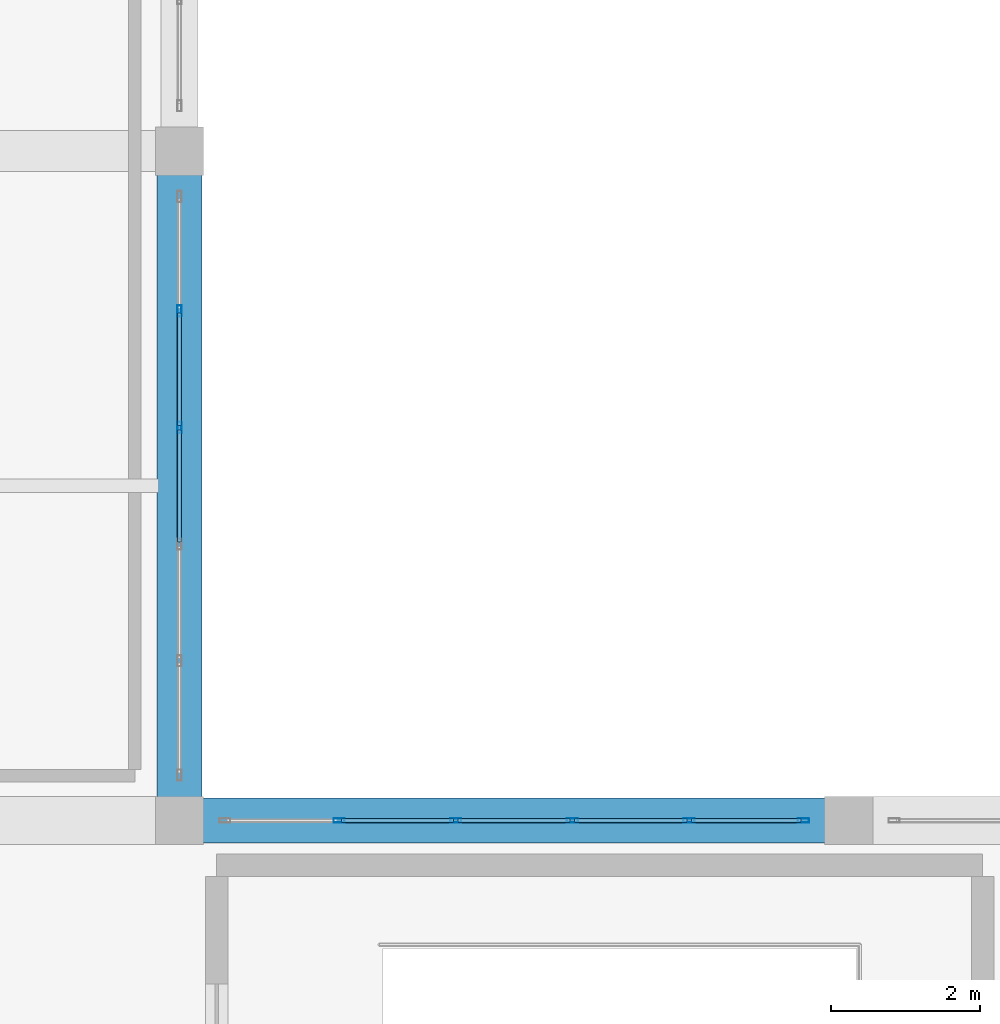
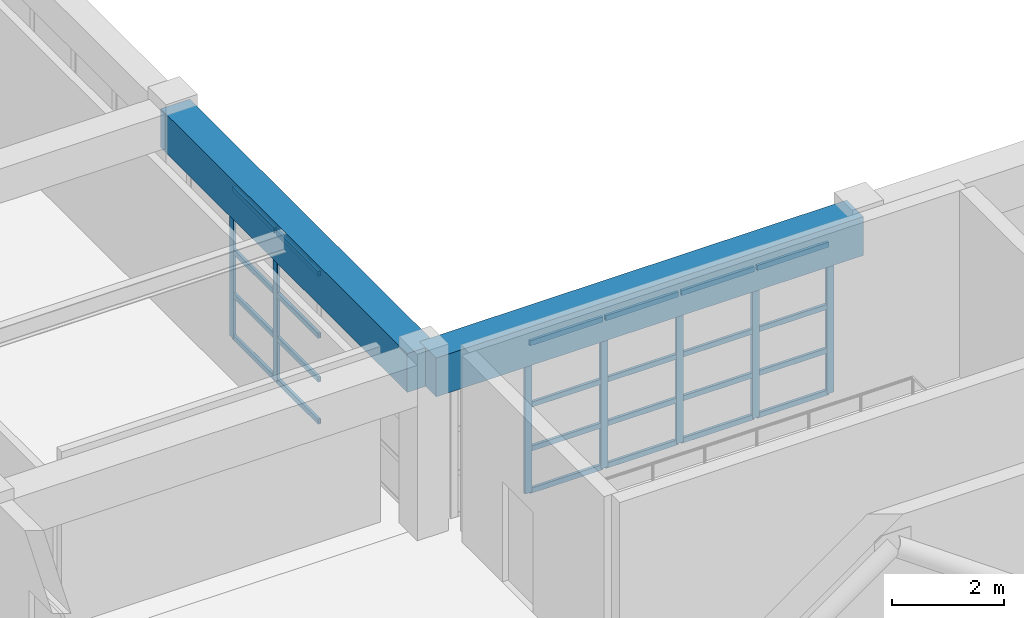
# One storey, part 18 of 130: 31 members, 2 beams, 2 elements without a shape of their own.
"""IFC4 building model written with IfcOpenShell, lengths in metres."""

from ifc_helpers import new_model, si_unit, direction, frame, origin, origin_2d, place, context, subcontext, project, spatial, rectangle, hollow_rectangle, extrude, material, material_profile, profile_set, type_object, element, aggregate, save


model = new_model("IFC4")

# Units and contexts
model_context = context("Model", 3, precision=1e-05, world=origin(), true_north=direction((0.0, 1.0)))
body_context = subcontext(model_context, "Body", "Model", "MODEL_VIEW")
ifc_project = project(units=[si_unit("LENGTHUNIT", "METRE"), si_unit("AREAUNIT", "SQUARE_METRE"), si_unit("VOLUMEUNIT", "CUBIC_METRE"), si_unit("PLANEANGLEUNIT", "RADIAN"), si_unit("MASSUNIT", "GRAM", prefix="KILO")], contexts=[model_context])

# Site, building, storey
site_placement = place(None, origin())
site = spatial("IfcSite", under=ifc_project, at=site_placement, CompositionType="ELEMENT")
building_placement = place(site_placement, origin())
building = spatial("IfcBuilding", under=site, at=building_placement, Name="Miravela Opera House", CompositionType="ELEMENT")
storey_placement = place(building_placement, frame((0.0, 0.0, 9.52001953125)))
storey = spatial("IfcBuildingStorey", under=building, at=storey_placement, Name="L02", CompositionType="ELEMENT", Elevation=9.52001953125)

# Curtain wall, members
ifc_material_1 = material(Name="Anodised architectural bronze aluminium 6063-T6", Category="aluminium")
curtain_wall_type = type_object("IfcCurtainWallType", Name="ARC-CW-06", PredefinedType="NOTDEFINED", material=ifc_material_1)
curtain_wall_1_placement = place(storey_placement, origin())
curtain_wall_1 = element("IfcCurtainWall", 1, at=curtain_wall_1_placement, inside=storey, type_object=curtain_wall_type, Name="Courtyard Arcade Curtain Wall CW-L02-137", PredefinedType="NOTDEFINED")
ifc_material_profile_1 = material_profile(ifc_material_1, hollow_rectangle(XDim=0.06005859375, YDim=0.14990234375, WallThickness=0.00390625, InnerFilletRadius=0.001953125, OuterFilletRadius=0.00390625, at=origin_2d()), Name="CWM-60X150")
ifc_profile_set_1 = profile_set([ifc_material_profile_1])
member_type_1 = type_object("IfcMemberType", Name="ARC-CWM-150", PredefinedType="MULLION", material=ifc_profile_set_1)
member_1_placement = place(storey_placement, frame((29.14794921875, 9.0, 0.0), z_axis=(0.0, 0.0, 1.0), x_axis=(0.0, 1.0, 0.0)))
member_1 = element("IfcMember", 2, at=member_1_placement, type_object=member_type_1, Name="CW-06 mullion 2", PredefinedType="MULLION", context=body_context, shape_type="SweptSolid", body=[
    extrude(hollow_rectangle(XDim=0.06005859375, YDim=0.14990234375, WallThickness=0.00390625, InnerFilletRadius=0.001953125, OuterFilletRadius=0.00390625, at=origin_2d()), origin(), (0.0, 0.0, 1.0), 3.2900390625),
])
member_2_placement = place(storey_placement, frame((30.716064453125, 9.0, 0.0), z_axis=(0.0, 0.0, 1.0), x_axis=(0.0, 1.0, 0.0)))
member_2 = element("IfcMember", 3, at=member_2_placement, type_object=member_type_1, Name="CW-06 mullion 3", PredefinedType="MULLION", context=body_context, shape_type="SweptSolid", body=[
    extrude(hollow_rectangle(XDim=0.06005859375, YDim=0.14990234375, WallThickness=0.00390625, InnerFilletRadius=0.001953125, OuterFilletRadius=0.00390625, at=origin_2d()), origin(), (0.0, 0.0, 1.0), 3.2900390625),
])
member_3_placement = place(storey_placement, frame((32.283935546875, 9.0, 0.0), z_axis=(0.0, 0.0, 1.0), x_axis=(0.0, 1.0, 0.0)))
member_3 = element("IfcMember", 4, at=member_3_placement, type_object=member_type_1, Name="CW-06 mullion 4", PredefinedType="MULLION", context=body_context, shape_type="SweptSolid", body=[
    extrude(hollow_rectangle(XDim=0.06005859375, YDim=0.14990234375, WallThickness=0.00390625, InnerFilletRadius=0.001953125, OuterFilletRadius=0.00390625, at=origin_2d()), origin(), (0.0, 0.0, 1.0), 3.2900390625),
])
member_4_placement = place(storey_placement, frame((33.85205078125, 9.0, 0.0), z_axis=(0.0, 0.0, 1.0), x_axis=(0.0, 1.0, 0.0)))
member_4 = element("IfcMember", 5, at=member_4_placement, type_object=member_type_1, Name="CW-06 mullion 5", PredefinedType="MULLION", context=body_context, shape_type="SweptSolid", body=[
    extrude(hollow_rectangle(XDim=0.06005859375, YDim=0.14990234375, WallThickness=0.00390625, InnerFilletRadius=0.001953125, OuterFilletRadius=0.00390625, at=origin_2d()), origin(), (0.0, 0.0, 1.0), 3.2900390625),
])
member_5_placement = place(storey_placement, frame((35.389892578125, 9.0, 0.0), z_axis=(0.0, 0.0, 1.0), x_axis=(0.0, 1.0, 0.0)))
member_5 = element("IfcMember", 6, at=member_5_placement, type_object=member_type_1, Name="CW-06 mullion 6", PredefinedType="MULLION", context=body_context, shape_type="SweptSolid", body=[
    extrude(hollow_rectangle(XDim=0.06005859375, YDim=0.14990234375, WallThickness=0.00390625, InnerFilletRadius=0.001953125, OuterFilletRadius=0.00390625, at=origin_2d()), origin(), (0.0, 0.0, 1.0), 3.2900390625),
])

curtain_wall_2_placement = place(storey_placement, origin())
curtain_wall_2 = element("IfcCurtainWall", 7, at=curtain_wall_2_placement, inside=storey, type_object=curtain_wall_type, Name="Courtyard Arcade Curtain Wall CW-L02-144", PredefinedType="NOTDEFINED")
member_6_placement = place(storey_placement, frame((27.0, 14.283935546875, 0.0), z_axis=(0.0, 0.0, 1.0), x_axis=(-1.0, 0.0, 0.0)))
member_6 = element("IfcMember", 8, at=member_6_placement, type_object=member_type_1, Name="CW-06 mullion 4", PredefinedType="MULLION", context=body_context, shape_type="SweptSolid", body=[
    extrude(hollow_rectangle(XDim=0.06005859375, YDim=0.14990234375, WallThickness=0.00390625, InnerFilletRadius=0.001953125, OuterFilletRadius=0.00390625, at=origin_2d()), origin(), (0.0, 0.0, 1.0), 3.2900390625),
])
member_7_placement = place(storey_placement, frame((27.0, 15.85205078125, 0.0), z_axis=(0.0, 0.0, 1.0), x_axis=(-1.0, 0.0, 0.0)))
member_7 = element("IfcMember", 9, at=member_7_placement, type_object=member_type_1, Name="CW-06 mullion 5", PredefinedType="MULLION", context=body_context, shape_type="SweptSolid", body=[
    extrude(hollow_rectangle(XDim=0.06005859375, YDim=0.14990234375, WallThickness=0.00390625, InnerFilletRadius=0.001953125, OuterFilletRadius=0.00390625, at=origin_2d()), origin(), (0.0, 0.0, 1.0), 3.2900390625),
])

# Member
ifc_material_profile_2 = material_profile(ifc_material_1, hollow_rectangle(XDim=0.06005859375, YDim=0.114990234375, WallThickness=0.00390625, InnerFilletRadius=0.001953125, OuterFilletRadius=0.00390625, at=origin_2d()), Name="CWT-60X115")
ifc_profile_set_2 = profile_set([ifc_material_profile_2])
member_type_2 = type_object("IfcMemberType", Name="ARC-CWT-115", PredefinedType="USERDEFINED", material=ifc_profile_set_2)
member_8_placement = place(storey_placement, frame((29.177978515625, 9.0, 0.030029296875), z_axis=(1.0, 0.0, 0.0), x_axis=(0.0, 1.0, 0.0)))
member_8 = element("IfcMember", 10, at=member_8_placement, type_object=member_type_2, Name="CW-06 transom 2.1", ObjectType="TRANSOM", PredefinedType="USERDEFINED", context=body_context, shape_type="SweptSolid", body=[
    extrude(hollow_rectangle(XDim=0.06005859375, YDim=0.114990234375, WallThickness=0.00390625, InnerFilletRadius=0.001953125, OuterFilletRadius=0.00390625, at=origin_2d()), origin(), (0.0, 0.0, 1.0), 1.508056640625),
])

member_9_placement = place(storey_placement, frame((29.177978515625, 9.0, 0.949951171875), z_axis=(1.0, 0.0, 0.0), x_axis=(0.0, 1.0, 0.0)))
member_9 = element("IfcMember", 11, at=member_9_placement, type_object=member_type_2, Name="CW-06 transom 2.2", ObjectType="TRANSOM", PredefinedType="USERDEFINED", context=body_context, shape_type="SweptSolid", body=[
    extrude(hollow_rectangle(XDim=0.06005859375, YDim=0.114990234375, WallThickness=0.00390625, InnerFilletRadius=0.001953125, OuterFilletRadius=0.00390625, at=origin_2d()), origin(), (0.0, 0.0, 1.0), 1.508056640625),
])

member_10_placement = place(storey_placement, frame((29.177978515625, 9.0, 1.908203125), z_axis=(1.0, 0.0, 0.0), x_axis=(0.0, 1.0, 0.0)))
member_10 = element("IfcMember", 12, at=member_10_placement, type_object=member_type_2, Name="CW-06 transom 2.3", ObjectType="TRANSOM", PredefinedType="USERDEFINED", context=body_context, shape_type="SweptSolid", body=[
    extrude(hollow_rectangle(XDim=0.06005859375, YDim=0.114990234375, WallThickness=0.00390625, InnerFilletRadius=0.001953125, OuterFilletRadius=0.00390625, at=origin_2d()), origin(), (0.0, 0.0, 1.0), 1.508056640625),
])

member_11_placement = place(storey_placement, frame((29.177978515625, 9.0, 3.260009765625), z_axis=(1.0, 0.0, 0.0), x_axis=(0.0, 1.0, 0.0)))
member_11 = element("IfcMember", 13, at=member_11_placement, type_object=member_type_2, Name="CW-06 transom 2.4", ObjectType="TRANSOM", PredefinedType="USERDEFINED", context=body_context, shape_type="SweptSolid", body=[
    extrude(hollow_rectangle(XDim=0.06005859375, YDim=0.114990234375, WallThickness=0.00390625, InnerFilletRadius=0.001953125, OuterFilletRadius=0.00390625, at=origin_2d()), origin(), (0.0, 0.0, 1.0), 1.508056640625),
])

member_12_placement = place(storey_placement, frame((30.74609375, 9.0, 0.030029296875), z_axis=(1.0, 0.0, 0.0), x_axis=(0.0, 1.0, 0.0)))
member_12 = element("IfcMember", 14, at=member_12_placement, type_object=member_type_2, Name="CW-06 transom 3.1", ObjectType="TRANSOM", PredefinedType="USERDEFINED", context=body_context, shape_type="SweptSolid", body=[
    extrude(hollow_rectangle(XDim=0.06005859375, YDim=0.114990234375, WallThickness=0.00390625, InnerFilletRadius=0.001953125, OuterFilletRadius=0.00390625, at=origin_2d()), origin(), (0.0, 0.0, 1.0), 1.5078125),
])

member_13_placement = place(storey_placement, frame((30.74609375, 9.0, 0.949951171875), z_axis=(1.0, 0.0, 0.0), x_axis=(0.0, 1.0, 0.0)))
member_13 = element("IfcMember", 15, at=member_13_placement, type_object=member_type_2, Name="CW-06 transom 3.2", ObjectType="TRANSOM", PredefinedType="USERDEFINED", context=body_context, shape_type="SweptSolid", body=[
    extrude(hollow_rectangle(XDim=0.06005859375, YDim=0.114990234375, WallThickness=0.00390625, InnerFilletRadius=0.001953125, OuterFilletRadius=0.00390625, at=origin_2d()), origin(), (0.0, 0.0, 1.0), 1.5078125),
])

member_14_placement = place(storey_placement, frame((30.74609375, 9.0, 1.908203125), z_axis=(1.0, 0.0, 0.0), x_axis=(0.0, 1.0, 0.0)))
member_14 = element("IfcMember", 16, at=member_14_placement, type_object=member_type_2, Name="CW-06 transom 3.3", ObjectType="TRANSOM", PredefinedType="USERDEFINED", context=body_context, shape_type="SweptSolid", body=[
    extrude(hollow_rectangle(XDim=0.06005859375, YDim=0.114990234375, WallThickness=0.00390625, InnerFilletRadius=0.001953125, OuterFilletRadius=0.00390625, at=origin_2d()), origin(), (0.0, 0.0, 1.0), 1.5078125),
])

member_15_placement = place(storey_placement, frame((30.74609375, 9.0, 3.260009765625), z_axis=(1.0, 0.0, 0.0), x_axis=(0.0, 1.0, 0.0)))
member_15 = element("IfcMember", 17, at=member_15_placement, type_object=member_type_2, Name="CW-06 transom 3.4", ObjectType="TRANSOM", PredefinedType="USERDEFINED", context=body_context, shape_type="SweptSolid", body=[
    extrude(hollow_rectangle(XDim=0.06005859375, YDim=0.114990234375, WallThickness=0.00390625, InnerFilletRadius=0.001953125, OuterFilletRadius=0.00390625, at=origin_2d()), origin(), (0.0, 0.0, 1.0), 1.5078125),
])

member_16_placement = place(storey_placement, frame((32.31396484375, 9.0, 0.030029296875), z_axis=(1.0, 0.0, 0.0), x_axis=(0.0, 1.0, 0.0)))
member_16 = element("IfcMember", 18, at=member_16_placement, type_object=member_type_2, Name="CW-06 transom 4.1", ObjectType="TRANSOM", PredefinedType="USERDEFINED", context=body_context, shape_type="SweptSolid", body=[
    extrude(hollow_rectangle(XDim=0.06005859375, YDim=0.114990234375, WallThickness=0.00390625, InnerFilletRadius=0.001953125, OuterFilletRadius=0.00390625, at=origin_2d()), origin(), (0.0, 0.0, 1.0), 1.508056640625),
])

member_17_placement = place(storey_placement, frame((32.31396484375, 9.0, 0.949951171875), z_axis=(1.0, 0.0, 0.0), x_axis=(0.0, 1.0, 0.0)))
member_17 = element("IfcMember", 19, at=member_17_placement, type_object=member_type_2, Name="CW-06 transom 4.2", ObjectType="TRANSOM", PredefinedType="USERDEFINED", context=body_context, shape_type="SweptSolid", body=[
    extrude(hollow_rectangle(XDim=0.06005859375, YDim=0.114990234375, WallThickness=0.00390625, InnerFilletRadius=0.001953125, OuterFilletRadius=0.00390625, at=origin_2d()), origin(), (0.0, 0.0, 1.0), 1.508056640625),
])

member_18_placement = place(storey_placement, frame((32.31396484375, 9.0, 1.908203125), z_axis=(1.0, 0.0, 0.0), x_axis=(0.0, 1.0, 0.0)))
member_18 = element("IfcMember", 20, at=member_18_placement, type_object=member_type_2, Name="CW-06 transom 4.3", ObjectType="TRANSOM", PredefinedType="USERDEFINED", context=body_context, shape_type="SweptSolid", body=[
    extrude(hollow_rectangle(XDim=0.06005859375, YDim=0.114990234375, WallThickness=0.00390625, InnerFilletRadius=0.001953125, OuterFilletRadius=0.00390625, at=origin_2d()), origin(), (0.0, 0.0, 1.0), 1.508056640625),
])

member_19_placement = place(storey_placement, frame((32.31396484375, 9.0, 3.260009765625), z_axis=(1.0, 0.0, 0.0), x_axis=(0.0, 1.0, 0.0)))
member_19 = element("IfcMember", 21, at=member_19_placement, type_object=member_type_2, Name="CW-06 transom 4.4", ObjectType="TRANSOM", PredefinedType="USERDEFINED", context=body_context, shape_type="SweptSolid", body=[
    extrude(hollow_rectangle(XDim=0.06005859375, YDim=0.114990234375, WallThickness=0.00390625, InnerFilletRadius=0.001953125, OuterFilletRadius=0.00390625, at=origin_2d()), origin(), (0.0, 0.0, 1.0), 1.508056640625),
])

member_20_placement = place(storey_placement, frame((33.882080078125, 9.0, 0.030029296875), z_axis=(1.0, 0.0, 0.0), x_axis=(0.0, 1.0, 0.0)))
member_20 = element("IfcMember", 22, at=member_20_placement, type_object=member_type_2, Name="CW-06 transom 5.1", ObjectType="TRANSOM", PredefinedType="USERDEFINED", context=body_context, shape_type="SweptSolid", body=[
    extrude(hollow_rectangle(XDim=0.06005859375, YDim=0.114990234375, WallThickness=0.00390625, InnerFilletRadius=0.001953125, OuterFilletRadius=0.00390625, at=origin_2d()), origin(), (0.0, 0.0, 1.0), 1.47802734375),
])

member_21_placement = place(storey_placement, frame((33.882080078125, 9.0, 0.949951171875), z_axis=(1.0, 0.0, 0.0), x_axis=(0.0, 1.0, 0.0)))
member_21 = element("IfcMember", 23, at=member_21_placement, type_object=member_type_2, Name="CW-06 transom 5.2", ObjectType="TRANSOM", PredefinedType="USERDEFINED", context=body_context, shape_type="SweptSolid", body=[
    extrude(hollow_rectangle(XDim=0.06005859375, YDim=0.114990234375, WallThickness=0.00390625, InnerFilletRadius=0.001953125, OuterFilletRadius=0.00390625, at=origin_2d()), origin(), (0.0, 0.0, 1.0), 1.47802734375),
])

member_22_placement = place(storey_placement, frame((33.882080078125, 9.0, 1.908203125), z_axis=(1.0, 0.0, 0.0), x_axis=(0.0, 1.0, 0.0)))
member_22 = element("IfcMember", 24, at=member_22_placement, type_object=member_type_2, Name="CW-06 transom 5.3", ObjectType="TRANSOM", PredefinedType="USERDEFINED", context=body_context, shape_type="SweptSolid", body=[
    extrude(hollow_rectangle(XDim=0.06005859375, YDim=0.114990234375, WallThickness=0.00390625, InnerFilletRadius=0.001953125, OuterFilletRadius=0.00390625, at=origin_2d()), origin(), (0.0, 0.0, 1.0), 1.47802734375),
])

member_23_placement = place(storey_placement, frame((33.882080078125, 9.0, 3.260009765625), z_axis=(1.0, 0.0, 0.0), x_axis=(0.0, 1.0, 0.0)))
member_23 = element("IfcMember", 25, at=member_23_placement, type_object=member_type_2, Name="CW-06 transom 5.4", ObjectType="TRANSOM", PredefinedType="USERDEFINED", context=body_context, shape_type="SweptSolid", body=[
    extrude(hollow_rectangle(XDim=0.06005859375, YDim=0.114990234375, WallThickness=0.00390625, InnerFilletRadius=0.001953125, OuterFilletRadius=0.00390625, at=origin_2d()), origin(), (0.0, 0.0, 1.0), 1.47802734375),
])

aggregate(curtain_wall_1, [member_1, member_2, member_3, member_4, member_5, member_8, member_9, member_10, member_11, member_12, member_13, member_14, member_15, member_16, member_17, member_18, member_19, member_20, member_21, member_22, member_23])

member_24_placement = place(storey_placement, frame((27.0, 12.74609375, 0.030029296875), z_axis=(0.0, 1.0, 0.0), x_axis=(-1.0, 0.0, 0.0)))
member_24 = element("IfcMember", 26, at=member_24_placement, type_object=member_type_2, Name="CW-06 transom 3.1", ObjectType="TRANSOM", PredefinedType="USERDEFINED", context=body_context, shape_type="SweptSolid", body=[
    extrude(hollow_rectangle(XDim=0.06005859375, YDim=0.114990234375, WallThickness=0.00390625, InnerFilletRadius=0.001953125, OuterFilletRadius=0.00390625, at=origin_2d()), origin(), (0.0, 0.0, 1.0), 1.5078125),
])

member_25_placement = place(storey_placement, frame((27.0, 12.74609375, 0.949951171875), z_axis=(0.0, 1.0, 0.0), x_axis=(-1.0, 0.0, 0.0)))
member_25 = element("IfcMember", 27, at=member_25_placement, type_object=member_type_2, Name="CW-06 transom 3.2", ObjectType="TRANSOM", PredefinedType="USERDEFINED", context=body_context, shape_type="SweptSolid", body=[
    extrude(hollow_rectangle(XDim=0.06005859375, YDim=0.114990234375, WallThickness=0.00390625, InnerFilletRadius=0.001953125, OuterFilletRadius=0.00390625, at=origin_2d()), origin(), (0.0, 0.0, 1.0), 1.5078125),
])

member_26_placement = place(storey_placement, frame((27.0, 12.74609375, 1.908203125), z_axis=(0.0, 1.0, 0.0), x_axis=(-1.0, 0.0, 0.0)))
member_26 = element("IfcMember", 28, at=member_26_placement, type_object=member_type_2, Name="CW-06 transom 3.3", ObjectType="TRANSOM", PredefinedType="USERDEFINED", context=body_context, shape_type="SweptSolid", body=[
    extrude(hollow_rectangle(XDim=0.06005859375, YDim=0.114990234375, WallThickness=0.00390625, InnerFilletRadius=0.001953125, OuterFilletRadius=0.00390625, at=origin_2d()), origin(), (0.0, 0.0, 1.0), 1.5078125),
])

member_27_placement = place(storey_placement, frame((27.0, 12.74609375, 3.260009765625), z_axis=(0.0, 1.0, 0.0), x_axis=(-1.0, 0.0, 0.0)))
member_27 = element("IfcMember", 29, at=member_27_placement, type_object=member_type_2, Name="CW-06 transom 3.4", ObjectType="TRANSOM", PredefinedType="USERDEFINED", context=body_context, shape_type="SweptSolid", body=[
    extrude(hollow_rectangle(XDim=0.06005859375, YDim=0.114990234375, WallThickness=0.00390625, InnerFilletRadius=0.001953125, OuterFilletRadius=0.00390625, at=origin_2d()), origin(), (0.0, 0.0, 1.0), 1.5078125),
])

member_28_placement = place(storey_placement, frame((27.0, 14.31396484375, 0.030029296875), z_axis=(0.0, 1.0, 0.0), x_axis=(-1.0, 0.0, 0.0)))
member_28 = element("IfcMember", 30, at=member_28_placement, type_object=member_type_2, Name="CW-06 transom 4.1", ObjectType="TRANSOM", PredefinedType="USERDEFINED", context=body_context, shape_type="SweptSolid", body=[
    extrude(hollow_rectangle(XDim=0.06005859375, YDim=0.114990234375, WallThickness=0.00390625, InnerFilletRadius=0.001953125, OuterFilletRadius=0.00390625, at=origin_2d()), origin(), (0.0, 0.0, 1.0), 1.508056640625),
])

member_29_placement = place(storey_placement, frame((27.0, 14.31396484375, 0.949951171875), z_axis=(0.0, 1.0, 0.0), x_axis=(-1.0, 0.0, 0.0)))
member_29 = element("IfcMember", 31, at=member_29_placement, type_object=member_type_2, Name="CW-06 transom 4.2", ObjectType="TRANSOM", PredefinedType="USERDEFINED", context=body_context, shape_type="SweptSolid", body=[
    extrude(hollow_rectangle(XDim=0.06005859375, YDim=0.114990234375, WallThickness=0.00390625, InnerFilletRadius=0.001953125, OuterFilletRadius=0.00390625, at=origin_2d()), origin(), (0.0, 0.0, 1.0), 1.508056640625),
])

member_30_placement = place(storey_placement, frame((27.0, 14.31396484375, 1.908203125), z_axis=(0.0, 1.0, 0.0), x_axis=(-1.0, 0.0, 0.0)))
member_30 = element("IfcMember", 32, at=member_30_placement, type_object=member_type_2, Name="CW-06 transom 4.3", ObjectType="TRANSOM", PredefinedType="USERDEFINED", context=body_context, shape_type="SweptSolid", body=[
    extrude(hollow_rectangle(XDim=0.06005859375, YDim=0.114990234375, WallThickness=0.00390625, InnerFilletRadius=0.001953125, OuterFilletRadius=0.00390625, at=origin_2d()), origin(), (0.0, 0.0, 1.0), 1.508056640625),
])

member_31_placement = place(storey_placement, frame((27.0, 14.31396484375, 3.260009765625), z_axis=(0.0, 1.0, 0.0), x_axis=(-1.0, 0.0, 0.0)))
member_31 = element("IfcMember", 33, at=member_31_placement, type_object=member_type_2, Name="CW-06 transom 4.4", ObjectType="TRANSOM", PredefinedType="USERDEFINED", context=body_context, shape_type="SweptSolid", body=[
    extrude(hollow_rectangle(XDim=0.06005859375, YDim=0.114990234375, WallThickness=0.00390625, InnerFilletRadius=0.001953125, OuterFilletRadius=0.00390625, at=origin_2d()), origin(), (0.0, 0.0, 1.0), 1.508056640625),
])

aggregate(curtain_wall_2, [member_6, member_7, member_24, member_25, member_26, member_27, member_28, member_29, member_30, member_31])

# Beams
ifc_material_2 = material(Name="Concrete C40/50", Category="concrete")
ifc_material_profile_3 = material_profile(ifc_material_2, rectangle(XDim=0.60009765625, YDim=0.85009765625, at=origin_2d()), Name="RC-BM-600X850")
ifc_profile_set_3 = profile_set([ifc_material_profile_3])
beam_type = type_object("IfcBeamType", Name="STR-BM-RC600X850", PredefinedType="BEAM", material=ifc_profile_set_3)
for number, where, z_axis, x_axis, name in (
    (34, (27.080078125, 9.0, 3.4150390625), (1.0, 0.0, 0.0), (0.0, 1.0, 0.0), "Floor Girder L02 4-5/B"),
    (35, (27.0, 9.080078125, 3.4150390625), (0.0, 1.0, 0.0), (-1.0, 0.0, 0.0), "Floor Girder L02 4/B-C"),
):
    element("IfcBeam", number, at=place(storey_placement, frame(where, z_axis=z_axis, x_axis=x_axis)), inside=storey, type_object=beam_type, Name=name, PredefinedType="BEAM", context=body_context, shape_type="SweptSolid", body=[
        extrude(rectangle(XDim=0.60009765625, YDim=0.85009765625, at=origin_2d()), origin(), (0.0, 0.0, 1.0), 8.83984375),
    ])

save(model, "model.ifc")
